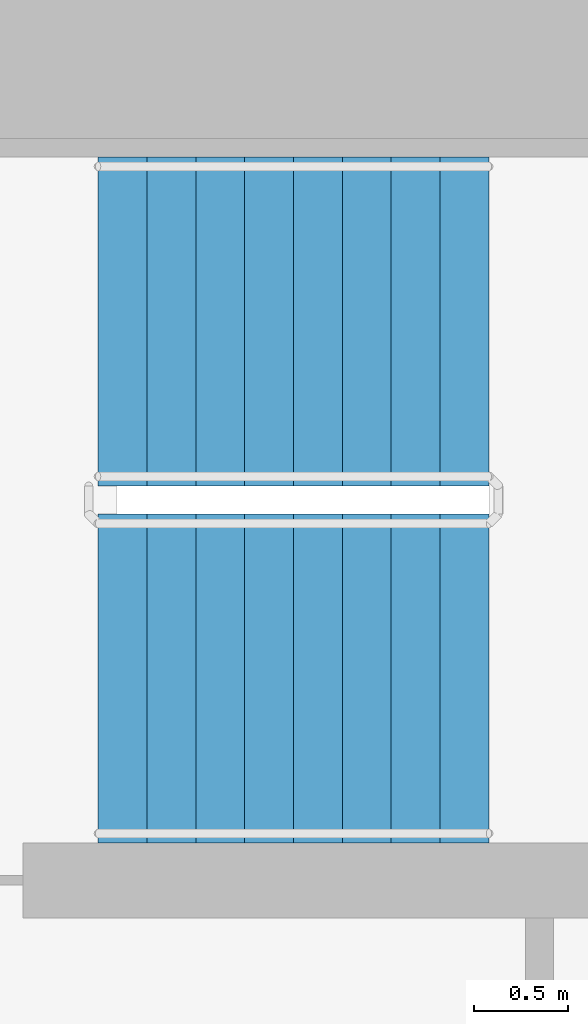
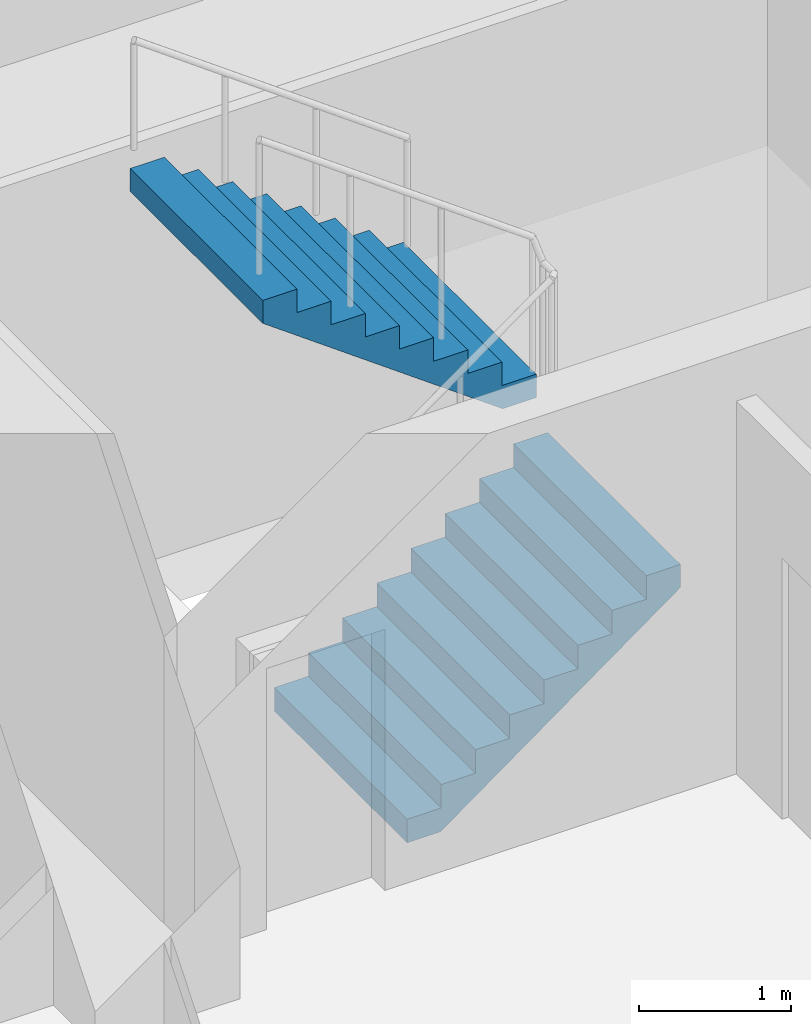
# One storey, part 19 of 25: 2 stair flights, 1 element without a shape of its own.
"""IFC4 building model written with IfcOpenShell, lengths in metres."""

import ifcopenshell
import ifcopenshell.guid

model = None  # the IFC model being written
_history = None  # IfcOwnerHistory: only IFC2X3 demands one
_inside = {}  # id of a spatial element -> (the spatial element, [elements in it])
_under = {}  # id of a project, library or spatial element -> (it, [spatial elements below it])
_declared = {}  # id of a project -> (the project, [libraries it declares])
_typed = {}  # id of a type object -> (the type object, [elements of that type])
_made_of = {}  # id of a material, layer set ... -> (it, [elements and type objects made of it])


def new_model(schema):
    """Start an empty IFC model of exactly this schema.

    Asked for "IFC4X3", IfcOpenShell would pick the latest addendum, in which some entities
    have other attributes; the version numbers below select the first issue.
    IFC2X3 requires an IfcOwnerHistory on every rooted entity: one is made here for all.
    """
    global model, _history
    if schema == "IFC4X3":
        model = ifcopenshell.file(schema_version=(4, 3, 0, 0))
    else:
        model = ifcopenshell.file(schema=schema)
    _inside.clear()
    _under.clear()
    _declared.clear()
    _typed.clear()
    _made_of.clear()
    _history = None
    if model.schema == "IFC2X3":
        org = make("IfcOrganization", Name="unknown")
        user = make(
            "IfcPersonAndOrganization",
            ThePerson=make("IfcPerson", FamilyName="unknown"),
            TheOrganization=org,
        )
        app = make(
            "IfcApplication",
            ApplicationDeveloper=org,
            Version="unknown",
            ApplicationFullName="unknown",
            ApplicationIdentifier="unknown",
        )
        _history = make(
            "IfcOwnerHistory",
            OwningUser=user,
            OwningApplication=app,
            ChangeAction="ADDED",
            CreationDate=0,
        )
    return model


def make(cls, **values):
    """One entity of the class cls with the attributes given. An attribute that is None is left unset."""
    return model.create_entity(
        cls, **{name: value for name, value in values.items() if value is not None}
    )


def rooted(cls, **values):
    """An entity with a GlobalId (a new one), such as an element, a storey or a relation."""
    return make(cls, GlobalId=ifcopenshell.guid.new(), OwnerHistory=_history, **values)


def si_unit(unit_type, name, prefix=None):
    """IfcSIUnit, for example si_unit("LENGTHUNIT", "METRE", prefix="MILLI")."""
    return make("IfcSIUnit", UnitType=unit_type, Prefix=prefix, Name=name)


def assignment(units):
    """IfcUnitAssignment: the units of a project."""
    return None if units is None else make("IfcUnitAssignment", Units=units)


def point(xyz):
    """IfcCartesianPoint."""
    return None if xyz is None else make("IfcCartesianPoint", Coordinates=xyz)


def direction(xyz):
    """IfcDirection."""
    return None if xyz is None else make("IfcDirection", DirectionRatios=xyz)


def frame(location, z_axis=None, x_axis=None):
    """IfcAxis2Placement3D, a coordinate frame: its origin and axes. An axis left out is left unset."""
    return make(
        "IfcAxis2Placement3D",
        Location=point(location),
        Axis=direction(z_axis),
        RefDirection=direction(x_axis),
    )


def origin():
    """The frame at (0, 0, 0) with its axes left unset."""
    return frame((0.0, 0.0, 0.0))


def place(relative_to, where):
    """IfcLocalPlacement: puts the frame where relative to a parent placement (None: the world)."""
    return make(
        "IfcLocalPlacement", PlacementRelTo=relative_to, RelativePlacement=where
    )


def context(
    kind, dimensions, precision=None, world=None, true_north=None, identifier=None
):
    """IfcGeometricRepresentationContext, for example the 3D "Model" context."""
    return make(
        "IfcGeometricRepresentationContext",
        ContextIdentifier=identifier,
        ContextType=kind,
        CoordinateSpaceDimension=dimensions,
        Precision=precision,
        WorldCoordinateSystem=world,
        TrueNorth=true_north,
    )


def subcontext(parent, identifier, kind, view, scale=None):
    """IfcGeometricRepresentationSubContext, for example "Body" below "Model"."""
    return make(
        "IfcGeometricRepresentationSubContext",
        ContextIdentifier=identifier,
        ContextType=kind,
        ParentContext=parent,
        TargetScale=scale,
        TargetView=view,
    )


def project(units=None, contexts=None):
    """IfcProject with its units and contexts."""
    return rooted(
        "IfcProject",
        Name="project",
        RepresentationContexts=contexts,
        UnitsInContext=assignment(units),
    )


def spatial(cls, under=None, at=None, **own):
    """A site, building, storey or space (cls), placed at a placement, below another one or the project."""
    s = rooted(cls, ObjectPlacement=at, **own)
    if under is not None:
        _under.setdefault(under.id(), (under, []))[1].append(s)
    return s


def faces_of(points, faces, orient=None, outer=None):
    """IfcFace entities. A face is a list of loops; a loop is a list of indices into points, from 0.

    orient and outer hold one flag for each loop. By default every Orientation is true, the
    first loop of a face is its IfcFaceOuterBound and the others are IfcFaceBound.
    """
    made = []
    for i, loops in enumerate(faces):
        bounds = []
        for j, loop in enumerate(loops):
            is_outer = j == 0 if outer is None else outer[i][j]
            bounds.append(
                make(
                    "IfcFaceOuterBound" if is_outer else "IfcFaceBound",
                    Bound=make("IfcPolyLoop", Polygon=[points[k] for k in loop]),
                    Orientation=True if orient is None else orient[i][j],
                )
            )
        made.append(make("IfcFace", Bounds=bounds))
    return made


def faceted_brep(points, faces, orient=None, outer=None, voids=None):
    """IfcFacetedBrep: a solid bounded by flat faces; with voids (closed shells), ...WithVoids."""
    shared = [point(p) for p in points]
    hull = make("IfcClosedShell", CfsFaces=faces_of(shared, faces, orient, outer))
    if voids is None:
        return make("IfcFacetedBrep", Outer=hull)
    return make(
        "IfcFacetedBrepWithVoids",
        Outer=hull,
        Voids=[
            make(cls, CfsFaces=faces_of(shared, fs, o, b)) for cls, fs, o, b in voids
        ],
    )


def shape(context_of_items, identifier, shape_type, items):
    """IfcShapeRepresentation: the items that make up one representation, for example the "Body"."""
    return make(
        "IfcShapeRepresentation",
        ContextOfItems=context_of_items,
        RepresentationIdentifier=identifier,
        RepresentationType=shape_type,
        Items=items,
    )


def material(Name=None, Category=None):
    """IfcMaterial."""
    return make("IfcMaterial", Name=Name, Category=Category)


def made_of(thing, what):
    """Note that an element or type object is made of a material, layer set ...; save() writes the relation."""
    if what is not None:
        _made_of.setdefault(what.id(), (what, []))[1].append(thing)
    return thing


def type_object(cls, material=None, **own):
    """A type object (cls), such as IfcWallType, which elements share."""
    return made_of(rooted(cls, **own), material)


def element(
    cls,
    number,
    at=None,
    inside=None,
    cuts=None,
    type_object=None,
    material=None,
    context=None,
    identifier="Body",
    shape_type=None,
    held_by="IfcProductDefinitionShape",
    body=None,
    shapes=None,
    **own,
):
    """One element of the class cls, such as IfcWall. Its Tag is "e" and its number.

    at: its placement. inside: the storey or other place that contains it. cuts: it is an
    opening in that element (IfcRelVoidsElement). A single representation is given by context,
    identifier, shape_type and body (its items); several are given by shapes. held_by: the class
    of the entity that holds the representations. save() writes the other relations.
    """
    e = rooted(cls, Tag="e%d" % number, ObjectPlacement=at, **own)
    if body is not None:
        shapes = [shape(context, identifier, shape_type, body)]
    if shapes is not None:
        e.Representation = make(held_by, Representations=shapes)
    if inside is not None:
        _inside.setdefault(inside.id(), (inside, []))[1].append(e)
    if cuts is not None:
        rooted(
            "IfcRelVoidsElement", RelatingBuildingElement=cuts, RelatedOpeningElement=e
        )
    if type_object is not None:
        _typed.setdefault(type_object.id(), (type_object, []))[1].append(e)
    return made_of(e, material)


def aggregate(whole, parts):
    """IfcRelAggregates: a whole, such as a stair, and the parts it consists of."""
    return rooted("IfcRelAggregates", RelatingObject=whole, RelatedObjects=parts)


def save(model, path):
    """Write the relations noted so far, then the file.

    IfcRelAggregates (storeys below a building ...), IfcRelContainedInSpatialStructure (elements
    in a storey), IfcRelDefinesByType, IfcRelAssociatesMaterial and IfcRelDeclares: one each for
    every whole, place, type object, material and project.
    """
    for whole, parts in _under.values():
        aggregate(whole, parts)
    for where, things in _inside.values():
        rooted(
            "IfcRelContainedInSpatialStructure",
            RelatedElements=things,
            RelatingStructure=where,
        )
    for kind, things in _typed.values():
        rooted("IfcRelDefinesByType", RelatedObjects=things, RelatingType=kind)
    for what, things in _made_of.values():
        rooted("IfcRelAssociatesMaterial", RelatedObjects=things, RelatingMaterial=what)
    for by, libraries in _declared.values():
        rooted("IfcRelDeclares", RelatingContext=by, RelatedDefinitions=libraries)
    model.write(path)


model = new_model("IFC4")

# Units and contexts
model_context = context("Model", 3, precision=1e-05, world=origin(), true_north=direction((0.0, 1.0)))
body_context = subcontext(model_context, "Body", "Model", "MODEL_VIEW")
ifc_project = project(units=[si_unit("LENGTHUNIT", "METRE"), si_unit("AREAUNIT", "SQUARE_METRE"), si_unit("VOLUMEUNIT", "CUBIC_METRE"), si_unit("PLANEANGLEUNIT", "RADIAN"), si_unit("MASSUNIT", "GRAM", prefix="KILO")], contexts=[model_context])

# Site, building, storey
site_placement = place(None, origin())
site = spatial("IfcSite", under=ifc_project, at=site_placement, CompositionType="ELEMENT")
building_placement = place(site_placement, origin())
building = spatial("IfcBuilding", under=site, at=building_placement, Name="Ipe Terrace Towers", CompositionType="ELEMENT")
storey_placement = place(building_placement, frame((0.0, 0.0, 65.300048828125)))
storey = spatial("IfcBuildingStorey", under=building, at=storey_placement, Name="L17", CompositionType="ELEMENT", Elevation=65.300048828125)

# Stair, stair flights
ifc_material_1 = material(Name="Concrete C30/37", Category="concrete")
stair_type = type_object("IfcStairType", Name="Protected exit stair", PredefinedType="HALF_TURN_STAIR", material=ifc_material_1)
stair_placement = place(storey_placement, origin())
stair = element("IfcStair", 1, at=stair_placement, inside=storey, type_object=stair_type, Name="L17 Exit stair T1-C1", PredefinedType="HALF_TURN_STAIR")
ifc_material_2 = material(Name="Concrete C30/37", Category="concrete")
stair_flight_type = type_object("IfcStairFlightType", Name="Exit stair flight 1750", PredefinedType="STRAIGHT", material=ifc_material_2)
stair_flight_1_placement = place(storey_placement, frame((-26.300048828125, 2.77490234375, 0.0), z_axis=(0.0, 0.0, 1.0), x_axis=(1.0, 0.0, 0.0)))
stair_flight_1 = element("IfcStairFlight", 2, at=stair_flight_1_placement, type_object=stair_flight_type, Name="T1-ST1 flight 1", NumberOfRisers=9, NumberOfTreads=8, PredefinedType="STRAIGHT", RiserHeight=0.188888889, TreadLength=0.26, context=body_context, shape_type="Brep", body=[
    faceted_brep([(0.255126953125, -0.875, 0.0), (2.080078125, -0.875, 1.325927734375), (2.080078125, -0.875, 1.51123046875), (1.820068359375, -0.875, 1.51123046875), (1.820068359375, -0.875, 1.322265625), (1.56005859375, -0.875, 1.322265625), (1.56005859375, -0.875, 1.13330078125), (1.300048828125, -0.875, 1.13330078125), (1.300048828125, -0.875, 0.9443359375), (1.0400390625, -0.875, 0.9443359375), (1.0400390625, -0.875, 0.755615234375), (0.780029296875, -0.875, 0.755615234375), (0.780029296875, -0.875, 0.566650390625), (0.52001953125, -0.875, 0.566650390625), (0.52001953125, -0.875, 0.377685546875), (0.260009765625, -0.875, 0.377685546875), (0.260009765625, -0.875, 0.18896484375), (0.0, -0.875, 0.18896484375), (0.0, -0.875, 0.0), (0.0, 0.875, 0.0), (0.0, 0.875, 0.18896484375), (0.260009765625, 0.875, 0.18896484375), (0.260009765625, 0.875, 0.377685546875), (0.52001953125, 0.875, 0.377685546875), (0.52001953125, 0.875, 0.566650390625), (0.780029296875, 0.875, 0.566650390625), (0.780029296875, 0.875, 0.755615234375), (1.0400390625, 0.875, 0.755615234375), (1.0400390625, 0.875, 0.9443359375), (1.300048828125, 0.875, 0.9443359375), (1.300048828125, 0.875, 1.13330078125), (1.56005859375, 0.875, 1.13330078125), (1.56005859375, 0.875, 1.322265625), (1.820068359375, 0.875, 1.322265625), (1.820068359375, 0.875, 1.51123046875), (2.080078125, 0.875, 1.51123046875), (2.080078125, 0.875, 1.325927734375), (0.255126953125, 0.875, 0.0), (0.0, -0.300048828125, 0.18896484375), (0.0, -0.1201171875, 0.18896484375), (0.0, -0.06005859375, 0.18896484375), (0.0, -0.030029296875, 0.18896484375), (0.0, -0.010009765625, 0.18896484375), (0.0, 0.0, 0.18896484375), (0.0, 0.010009765625, 0.18896484375), (0.0, 0.030029296875, 0.18896484375), (0.0, 0.06005859375, 0.18896484375), (0.0, 0.1201171875, 0.18896484375), (0.0, 0.300048828125, 0.18896484375), (0.0, 0.300048828125, 0.0), (0.0, 0.1201171875, 0.0), (0.0, 0.06005859375, 0.0), (0.0, 0.030029296875, 0.0), (0.0, 0.010009765625, 0.0), (0.0, 0.0, 0.0), (0.0, -0.010009765625, 0.0), (0.0, -0.030029296875, 0.0), (0.0, -0.06005859375, 0.0), (0.0, -0.1201171875, 0.0), (0.0, -0.300048828125, 0.0), (0.260009765625, -0.300048828125, 0.18896484375), (0.260009765625, -0.1201171875, 0.18896484375), (0.260009765625, -0.06005859375, 0.18896484375), (0.260009765625, -0.030029296875, 0.18896484375), (0.260009765625, -0.010009765625, 0.18896484375), (0.260009765625, 0.0, 0.18896484375), (0.260009765625, 0.010009765625, 0.18896484375), (0.260009765625, 0.030029296875, 0.18896484375), (0.260009765625, 0.06005859375, 0.18896484375), (0.260009765625, 0.1201171875, 0.18896484375), (0.260009765625, 0.300048828125, 0.18896484375), (0.260009765625, -0.300048828125, 0.377685546875), (0.260009765625, -0.1201171875, 0.377685546875), (0.260009765625, -0.06005859375, 0.377685546875), (0.260009765625, -0.030029296875, 0.377685546875), (0.260009765625, -0.010009765625, 0.377685546875), (0.260009765625, 0.0, 0.377685546875), (0.260009765625, 0.010009765625, 0.377685546875), (0.260009765625, 0.030029296875, 0.377685546875), (0.260009765625, 0.06005859375, 0.377685546875), (0.260009765625, 0.1201171875, 0.377685546875), (0.260009765625, 0.300048828125, 0.377685546875), (0.52001953125, -0.300048828125, 0.377685546875), (0.52001953125, -0.1201171875, 0.377685546875), (0.52001953125, -0.06005859375, 0.377685546875), (0.52001953125, -0.030029296875, 0.377685546875), (0.52001953125, -0.010009765625, 0.377685546875), (0.52001953125, 0.0, 0.377685546875), (0.52001953125, 0.010009765625, 0.377685546875), (0.52001953125, 0.030029296875, 0.377685546875), (0.52001953125, 0.06005859375, 0.377685546875), (0.52001953125, 0.1201171875, 0.377685546875), (0.52001953125, 0.300048828125, 0.377685546875), (0.52001953125, -0.300048828125, 0.566650390625), (0.52001953125, -0.1201171875, 0.566650390625), (0.52001953125, -0.06005859375, 0.566650390625), (0.52001953125, -0.030029296875, 0.566650390625), (0.52001953125, -0.010009765625, 0.566650390625), (0.52001953125, 0.0, 0.566650390625), (0.52001953125, 0.010009765625, 0.566650390625), (0.52001953125, 0.030029296875, 0.566650390625), (0.52001953125, 0.06005859375, 0.566650390625), (0.52001953125, 0.1201171875, 0.566650390625), (0.52001953125, 0.300048828125, 0.566650390625), (0.780029296875, -0.300048828125, 0.566650390625), (0.780029296875, -0.1201171875, 0.566650390625), (0.780029296875, -0.06005859375, 0.566650390625), (0.780029296875, -0.030029296875, 0.566650390625), (0.780029296875, -0.010009765625, 0.566650390625), (0.780029296875, 0.0, 0.566650390625), (0.780029296875, 0.010009765625, 0.566650390625), (0.780029296875, 0.030029296875, 0.566650390625), (0.780029296875, 0.06005859375, 0.566650390625), (0.780029296875, 0.1201171875, 0.566650390625), (0.780029296875, 0.300048828125, 0.566650390625), (0.780029296875, -0.300048828125, 0.755615234375), (0.780029296875, -0.1201171875, 0.755615234375), (0.780029296875, -0.06005859375, 0.755615234375), (0.780029296875, -0.030029296875, 0.755615234375), (0.780029296875, -0.010009765625, 0.755615234375), (0.780029296875, 0.0, 0.755615234375), (0.780029296875, 0.010009765625, 0.755615234375), (0.780029296875, 0.030029296875, 0.755615234375), (0.780029296875, 0.06005859375, 0.755615234375), (0.780029296875, 0.1201171875, 0.755615234375), (0.780029296875, 0.300048828125, 0.755615234375), (1.0400390625, -0.300048828125, 0.755615234375), (1.0400390625, -0.1201171875, 0.755615234375), (1.0400390625, -0.06005859375, 0.755615234375), (1.0400390625, -0.030029296875, 0.755615234375), (1.0400390625, -0.010009765625, 0.755615234375), (1.0400390625, 0.0, 0.755615234375), (1.0400390625, 0.010009765625, 0.755615234375), (1.0400390625, 0.030029296875, 0.755615234375), (1.0400390625, 0.06005859375, 0.755615234375), (1.0400390625, 0.1201171875, 0.755615234375), (1.0400390625, 0.300048828125, 0.755615234375), (1.0400390625, -0.300048828125, 0.9443359375), (1.0400390625, -0.1201171875, 0.9443359375), (1.0400390625, -0.06005859375, 0.9443359375), (1.0400390625, -0.030029296875, 0.9443359375), (1.0400390625, -0.010009765625, 0.9443359375), (1.0400390625, 0.0, 0.9443359375), (1.0400390625, 0.010009765625, 0.9443359375), (1.0400390625, 0.030029296875, 0.9443359375), (1.0400390625, 0.06005859375, 0.9443359375), (1.0400390625, 0.1201171875, 0.9443359375), (1.0400390625, 0.300048828125, 0.9443359375), (1.300048828125, -0.300048828125, 0.9443359375), (1.300048828125, -0.1201171875, 0.9443359375), (1.300048828125, -0.06005859375, 0.9443359375), (1.300048828125, -0.030029296875, 0.9443359375), (1.300048828125, -0.010009765625, 0.9443359375), (1.300048828125, 0.0, 0.9443359375), (1.300048828125, 0.010009765625, 0.9443359375), (1.300048828125, 0.030029296875, 0.9443359375), (1.300048828125, 0.06005859375, 0.9443359375), (1.300048828125, 0.1201171875, 0.9443359375), (1.300048828125, 0.300048828125, 0.9443359375), (1.300048828125, -0.300048828125, 1.13330078125), (1.300048828125, -0.1201171875, 1.13330078125), (1.300048828125, -0.06005859375, 1.13330078125), (1.300048828125, -0.030029296875, 1.13330078125), (1.300048828125, -0.010009765625, 1.13330078125), (1.300048828125, 0.0, 1.13330078125), (1.300048828125, 0.010009765625, 1.13330078125), (1.300048828125, 0.030029296875, 1.13330078125), (1.300048828125, 0.06005859375, 1.13330078125), (1.300048828125, 0.1201171875, 1.13330078125), (1.300048828125, 0.300048828125, 1.13330078125), (1.56005859375, -0.300048828125, 1.13330078125), (1.56005859375, -0.1201171875, 1.13330078125), (1.56005859375, -0.06005859375, 1.13330078125), (1.56005859375, -0.030029296875, 1.13330078125), (1.56005859375, -0.010009765625, 1.13330078125), (1.56005859375, 0.0, 1.13330078125), (1.56005859375, 0.010009765625, 1.13330078125), (1.56005859375, 0.030029296875, 1.13330078125), (1.56005859375, 0.06005859375, 1.13330078125), (1.56005859375, 0.1201171875, 1.13330078125), (1.56005859375, 0.300048828125, 1.13330078125), (1.56005859375, -0.300048828125, 1.322265625), (1.56005859375, -0.1201171875, 1.322265625), (1.56005859375, -0.06005859375, 1.322265625), (1.56005859375, -0.030029296875, 1.322265625), (1.56005859375, -0.010009765625, 1.322265625), (1.56005859375, 0.0, 1.322265625), (1.56005859375, 0.010009765625, 1.322265625), (1.56005859375, 0.030029296875, 1.322265625), (1.56005859375, 0.06005859375, 1.322265625), (1.56005859375, 0.1201171875, 1.322265625), (1.56005859375, 0.300048828125, 1.322265625), (1.820068359375, -0.300048828125, 1.322265625), (1.820068359375, -0.1201171875, 1.322265625), (1.820068359375, -0.06005859375, 1.322265625), (1.820068359375, -0.030029296875, 1.322265625), (1.820068359375, -0.010009765625, 1.322265625), (1.820068359375, 0.0, 1.322265625), (1.820068359375, 0.010009765625, 1.322265625), (1.820068359375, 0.030029296875, 1.322265625), (1.820068359375, 0.06005859375, 1.322265625), (1.820068359375, 0.1201171875, 1.322265625), (1.820068359375, 0.300048828125, 1.322265625), (1.820068359375, -0.300048828125, 1.51123046875), (1.820068359375, -0.1201171875, 1.51123046875), (1.820068359375, -0.06005859375, 1.51123046875), (1.820068359375, -0.030029296875, 1.51123046875), (1.820068359375, -0.010009765625, 1.51123046875), (1.820068359375, 0.0, 1.51123046875), (1.820068359375, 0.010009765625, 1.51123046875), (1.820068359375, 0.030029296875, 1.51123046875), (1.820068359375, 0.06005859375, 1.51123046875), (1.820068359375, 0.1201171875, 1.51123046875), (1.820068359375, 0.300048828125, 1.51123046875), (2.080078125, -0.300048828125, 1.51123046875), (2.080078125, -0.1201171875, 1.51123046875), (2.080078125, -0.06005859375, 1.51123046875), (2.080078125, -0.030029296875, 1.51123046875), (2.080078125, -0.010009765625, 1.51123046875), (2.080078125, 0.0, 1.51123046875), (2.080078125, 0.010009765625, 1.51123046875), (2.080078125, 0.030029296875, 1.51123046875), (2.080078125, 0.06005859375, 1.51123046875), (2.080078125, 0.1201171875, 1.51123046875), (2.080078125, 0.300048828125, 1.51123046875), (2.080078125, -0.300048828125, 1.325927734375), (2.080078125, -0.1201171875, 1.325927734375), (2.080078125, -0.06005859375, 1.325927734375), (2.080078125, -0.030029296875, 1.325927734375), (2.080078125, -0.010009765625, 1.325927734375), (2.080078125, 0.0, 1.325927734375), (2.080078125, 0.010009765625, 1.325927734375), (2.080078125, 0.030029296875, 1.325927734375), (2.080078125, 0.06005859375, 1.325927734375), (2.080078125, 0.1201171875, 1.325927734375), (2.080078125, 0.300048828125, 1.325927734375), (0.255126953125, -0.300048828125, 0.0), (0.255126953125, -0.1201171875, 0.0), (0.255126953125, -0.06005859375, 0.0), (0.255126953125, -0.030029296875, 0.0), (0.255126953125, -0.010009765625, 0.0), (0.255126953125, 0.0, 0.0), (0.255126953125, 0.010009765625, 0.0), (0.255126953125, 0.030029296875, 0.0), (0.255126953125, 0.06005859375, 0.0), (0.255126953125, 0.1201171875, 0.0), (0.255126953125, 0.300048828125, 0.0)], [[[0, 1, 2, 3, 4, 5, 6, 7, 8, 9, 10, 11, 12, 13, 14, 15, 16, 17, 18]], [[19, 20, 21, 22, 23, 24, 25, 26, 27, 28, 29, 30, 31, 32, 33, 34, 35, 36, 37]], [[17, 38, 39, 40, 41, 42, 43, 44, 45, 46, 47, 48, 20, 19, 49, 50, 51, 52, 53, 54, 55, 56, 57, 58, 59, 18]], [[16, 60, 61, 62, 63, 64, 65, 66, 67, 68, 69, 70, 21, 20, 48, 47, 46, 45, 44, 43, 42, 41, 40, 39, 38, 17]], [[15, 71, 72, 73, 74, 75, 76, 77, 78, 79, 80, 81, 22, 21, 70, 69, 68, 67, 66, 65, 64, 63, 62, 61, 60, 16]], [[14, 82, 83, 84, 85, 86, 87, 88, 89, 90, 91, 92, 23, 22, 81, 80, 79, 78, 77, 76, 75, 74, 73, 72, 71, 15]], [[13, 93, 94, 95, 96, 97, 98, 99, 100, 101, 102, 103, 24, 23, 92, 91, 90, 89, 88, 87, 86, 85, 84, 83, 82, 14]], [[12, 104, 105, 106, 107, 108, 109, 110, 111, 112, 113, 114, 25, 24, 103, 102, 101, 100, 99, 98, 97, 96, 95, 94, 93, 13]], [[11, 115, 116, 117, 118, 119, 120, 121, 122, 123, 124, 125, 26, 25, 114, 113, 112, 111, 110, 109, 108, 107, 106, 105, 104, 12]], [[10, 126, 127, 128, 129, 130, 131, 132, 133, 134, 135, 136, 27, 26, 125, 124, 123, 122, 121, 120, 119, 118, 117, 116, 115, 11]], [[9, 137, 138, 139, 140, 141, 142, 143, 144, 145, 146, 147, 28, 27, 136, 135, 134, 133, 132, 131, 130, 129, 128, 127, 126, 10]], [[8, 148, 149, 150, 151, 152, 153, 154, 155, 156, 157, 158, 29, 28, 147, 146, 145, 144, 143, 142, 141, 140, 139, 138, 137, 9]], [[7, 159, 160, 161, 162, 163, 164, 165, 166, 167, 168, 169, 30, 29, 158, 157, 156, 155, 154, 153, 152, 151, 150, 149, 148, 8]], [[6, 170, 171, 172, 173, 174, 175, 176, 177, 178, 179, 180, 31, 30, 169, 168, 167, 166, 165, 164, 163, 162, 161, 160, 159, 7]], [[5, 181, 182, 183, 184, 185, 186, 187, 188, 189, 190, 191, 32, 31, 180, 179, 178, 177, 176, 175, 174, 173, 172, 171, 170, 6]], [[4, 192, 193, 194, 195, 196, 197, 198, 199, 200, 201, 202, 33, 32, 191, 190, 189, 188, 187, 186, 185, 184, 183, 182, 181, 5]], [[3, 203, 204, 205, 206, 207, 208, 209, 210, 211, 212, 213, 34, 33, 202, 201, 200, 199, 198, 197, 196, 195, 194, 193, 192, 4]], [[2, 214, 215, 216, 217, 218, 219, 220, 221, 222, 223, 224, 35, 34, 213, 212, 211, 210, 209, 208, 207, 206, 205, 204, 203, 3]], [[1, 225, 226, 227, 228, 229, 230, 231, 232, 233, 234, 235, 36, 35, 224, 223, 222, 221, 220, 219, 218, 217, 216, 215, 214, 2]], [[0, 236, 237, 238, 239, 240, 241, 242, 243, 244, 245, 246, 37, 36, 235, 234, 233, 232, 231, 230, 229, 228, 227, 226, 225, 1]], [[18, 59, 58, 57, 56, 55, 54, 53, 52, 51, 50, 49, 19, 37, 246, 245, 244, 243, 242, 241, 240, 239, 238, 237, 236, 0]]]),
])
stair_flight_2_placement = place(storey_placement, frame((-24.219970703125, 4.675048828125, 1.699951171875), z_axis=(0.0, 0.0, 1.0), x_axis=(-1.0, 0.0, 0.0)))
stair_flight_2 = element("IfcStairFlight", 3, at=stair_flight_2_placement, type_object=stair_flight_type, Name="T1-ST1 flight 2", NumberOfRisers=9, NumberOfTreads=8, PredefinedType="STRAIGHT", RiserHeight=0.188888889, TreadLength=0.26, context=body_context, shape_type="Brep", body=[
    faceted_brep([(0.255126953125, -0.875, 0.0), (2.080078125, -0.875, 1.325927734375), (2.080078125, -0.875, 1.51123046875), (1.820068359375, -0.875, 1.51123046875), (1.820068359375, -0.875, 1.322265625), (1.56005859375, -0.875, 1.322265625), (1.56005859375, -0.875, 1.13330078125), (1.300048828125, -0.875, 1.13330078125), (1.300048828125, -0.875, 0.9443359375), (1.0400390625, -0.875, 0.9443359375), (1.0400390625, -0.875, 0.755615234375), (0.780029296875, -0.875, 0.755615234375), (0.780029296875, -0.875, 0.566650390625), (0.52001953125, -0.875, 0.566650390625), (0.52001953125, -0.875, 0.377685546875), (0.260009765625, -0.875, 0.377685546875), (0.260009765625, -0.875, 0.18896484375), (0.0, -0.875, 0.18896484375), (0.0, -0.875, 0.0), (0.0, 0.875, 0.0), (0.0, 0.875, 0.18896484375), (0.260009765625, 0.875, 0.18896484375), (0.260009765625, 0.875, 0.377685546875), (0.52001953125, 0.875, 0.377685546875), (0.52001953125, 0.875, 0.566650390625), (0.780029296875, 0.875, 0.566650390625), (0.780029296875, 0.875, 0.755615234375), (1.0400390625, 0.875, 0.755615234375), (1.0400390625, 0.875, 0.9443359375), (1.300048828125, 0.875, 0.9443359375), (1.300048828125, 0.875, 1.13330078125), (1.56005859375, 0.875, 1.13330078125), (1.56005859375, 0.875, 1.322265625), (1.820068359375, 0.875, 1.322265625), (1.820068359375, 0.875, 1.51123046875), (2.080078125, 0.875, 1.51123046875), (2.080078125, 0.875, 1.325927734375), (0.255126953125, 0.875, 0.0), (0.0, -0.300048828125, 0.18896484375), (0.0, -0.1201171875, 0.18896484375), (0.0, -0.06005859375, 0.18896484375), (0.0, -0.030029296875, 0.18896484375), (0.0, -0.010009765625, 0.18896484375), (0.0, 0.0, 0.18896484375), (0.0, 0.010009765625, 0.18896484375), (0.0, 0.030029296875, 0.18896484375), (0.0, 0.06005859375, 0.18896484375), (0.0, 0.1201171875, 0.18896484375), (0.0, 0.300048828125, 0.18896484375), (0.0, 0.300048828125, 0.0), (0.0, 0.1201171875, 0.0), (0.0, 0.06005859375, 0.0), (0.0, 0.030029296875, 0.0), (0.0, 0.010009765625, 0.0), (0.0, 0.0, 0.0), (0.0, -0.010009765625, 0.0), (0.0, -0.030029296875, 0.0), (0.0, -0.06005859375, 0.0), (0.0, -0.1201171875, 0.0), (0.0, -0.300048828125, 0.0), (0.260009765625, -0.300048828125, 0.18896484375), (0.260009765625, -0.1201171875, 0.18896484375), (0.260009765625, -0.06005859375, 0.18896484375), (0.260009765625, -0.030029296875, 0.18896484375), (0.260009765625, -0.010009765625, 0.18896484375), (0.260009765625, 0.0, 0.18896484375), (0.260009765625, 0.010009765625, 0.18896484375), (0.260009765625, 0.030029296875, 0.18896484375), (0.260009765625, 0.06005859375, 0.18896484375), (0.260009765625, 0.1201171875, 0.18896484375), (0.260009765625, 0.300048828125, 0.18896484375), (0.260009765625, -0.300048828125, 0.377685546875), (0.260009765625, -0.1201171875, 0.377685546875), (0.260009765625, -0.06005859375, 0.377685546875), (0.260009765625, -0.030029296875, 0.377685546875), (0.260009765625, -0.010009765625, 0.377685546875), (0.260009765625, 0.0, 0.377685546875), (0.260009765625, 0.010009765625, 0.377685546875), (0.260009765625, 0.030029296875, 0.377685546875), (0.260009765625, 0.06005859375, 0.377685546875), (0.260009765625, 0.1201171875, 0.377685546875), (0.260009765625, 0.300048828125, 0.377685546875), (0.52001953125, -0.300048828125, 0.377685546875), (0.52001953125, -0.1201171875, 0.377685546875), (0.52001953125, -0.06005859375, 0.377685546875), (0.52001953125, -0.030029296875, 0.377685546875), (0.52001953125, -0.010009765625, 0.377685546875), (0.52001953125, 0.0, 0.377685546875), (0.52001953125, 0.010009765625, 0.377685546875), (0.52001953125, 0.030029296875, 0.377685546875), (0.52001953125, 0.06005859375, 0.377685546875), (0.52001953125, 0.1201171875, 0.377685546875), (0.52001953125, 0.300048828125, 0.377685546875), (0.52001953125, -0.300048828125, 0.566650390625), (0.52001953125, -0.1201171875, 0.566650390625), (0.52001953125, -0.06005859375, 0.566650390625), (0.52001953125, -0.030029296875, 0.566650390625), (0.52001953125, -0.010009765625, 0.566650390625), (0.52001953125, 0.0, 0.566650390625), (0.52001953125, 0.010009765625, 0.566650390625), (0.52001953125, 0.030029296875, 0.566650390625), (0.52001953125, 0.06005859375, 0.566650390625), (0.52001953125, 0.1201171875, 0.566650390625), (0.52001953125, 0.300048828125, 0.566650390625), (0.780029296875, -0.300048828125, 0.566650390625), (0.780029296875, -0.1201171875, 0.566650390625), (0.780029296875, -0.06005859375, 0.566650390625), (0.780029296875, -0.030029296875, 0.566650390625), (0.780029296875, -0.010009765625, 0.566650390625), (0.780029296875, 0.0, 0.566650390625), (0.780029296875, 0.010009765625, 0.566650390625), (0.780029296875, 0.030029296875, 0.566650390625), (0.780029296875, 0.06005859375, 0.566650390625), (0.780029296875, 0.1201171875, 0.566650390625), (0.780029296875, 0.300048828125, 0.566650390625), (0.780029296875, -0.300048828125, 0.755615234375), (0.780029296875, -0.1201171875, 0.755615234375), (0.780029296875, -0.06005859375, 0.755615234375), (0.780029296875, -0.030029296875, 0.755615234375), (0.780029296875, -0.010009765625, 0.755615234375), (0.780029296875, 0.0, 0.755615234375), (0.780029296875, 0.010009765625, 0.755615234375), (0.780029296875, 0.030029296875, 0.755615234375), (0.780029296875, 0.06005859375, 0.755615234375), (0.780029296875, 0.1201171875, 0.755615234375), (0.780029296875, 0.300048828125, 0.755615234375), (1.0400390625, -0.300048828125, 0.755615234375), (1.0400390625, -0.1201171875, 0.755615234375), (1.0400390625, -0.06005859375, 0.755615234375), (1.0400390625, -0.030029296875, 0.755615234375), (1.0400390625, -0.010009765625, 0.755615234375), (1.0400390625, 0.0, 0.755615234375), (1.0400390625, 0.010009765625, 0.755615234375), (1.0400390625, 0.030029296875, 0.755615234375), (1.0400390625, 0.06005859375, 0.755615234375), (1.0400390625, 0.1201171875, 0.755615234375), (1.0400390625, 0.300048828125, 0.755615234375), (1.0400390625, -0.300048828125, 0.9443359375), (1.0400390625, -0.1201171875, 0.9443359375), (1.0400390625, -0.06005859375, 0.9443359375), (1.0400390625, -0.030029296875, 0.9443359375), (1.0400390625, -0.010009765625, 0.9443359375), (1.0400390625, 0.0, 0.9443359375), (1.0400390625, 0.010009765625, 0.9443359375), (1.0400390625, 0.030029296875, 0.9443359375), (1.0400390625, 0.06005859375, 0.9443359375), (1.0400390625, 0.1201171875, 0.9443359375), (1.0400390625, 0.300048828125, 0.9443359375), (1.300048828125, -0.300048828125, 0.9443359375), (1.300048828125, -0.1201171875, 0.9443359375), (1.300048828125, -0.06005859375, 0.9443359375), (1.300048828125, -0.030029296875, 0.9443359375), (1.300048828125, -0.010009765625, 0.9443359375), (1.300048828125, 0.0, 0.9443359375), (1.300048828125, 0.010009765625, 0.9443359375), (1.300048828125, 0.030029296875, 0.9443359375), (1.300048828125, 0.06005859375, 0.9443359375), (1.300048828125, 0.1201171875, 0.9443359375), (1.300048828125, 0.300048828125, 0.9443359375), (1.300048828125, -0.300048828125, 1.13330078125), (1.300048828125, -0.1201171875, 1.13330078125), (1.300048828125, -0.06005859375, 1.13330078125), (1.300048828125, -0.030029296875, 1.13330078125), (1.300048828125, -0.010009765625, 1.13330078125), (1.300048828125, 0.0, 1.13330078125), (1.300048828125, 0.010009765625, 1.13330078125), (1.300048828125, 0.030029296875, 1.13330078125), (1.300048828125, 0.06005859375, 1.13330078125), (1.300048828125, 0.1201171875, 1.13330078125), (1.300048828125, 0.300048828125, 1.13330078125), (1.56005859375, -0.300048828125, 1.13330078125), (1.56005859375, -0.1201171875, 1.13330078125), (1.56005859375, -0.06005859375, 1.13330078125), (1.56005859375, -0.030029296875, 1.13330078125), (1.56005859375, -0.010009765625, 1.13330078125), (1.56005859375, 0.0, 1.13330078125), (1.56005859375, 0.010009765625, 1.13330078125), (1.56005859375, 0.030029296875, 1.13330078125), (1.56005859375, 0.06005859375, 1.13330078125), (1.56005859375, 0.1201171875, 1.13330078125), (1.56005859375, 0.300048828125, 1.13330078125), (1.56005859375, -0.300048828125, 1.322265625), (1.56005859375, -0.1201171875, 1.322265625), (1.56005859375, -0.06005859375, 1.322265625), (1.56005859375, -0.030029296875, 1.322265625), (1.56005859375, -0.010009765625, 1.322265625), (1.56005859375, 0.0, 1.322265625), (1.56005859375, 0.010009765625, 1.322265625), (1.56005859375, 0.030029296875, 1.322265625), (1.56005859375, 0.06005859375, 1.322265625), (1.56005859375, 0.1201171875, 1.322265625), (1.56005859375, 0.300048828125, 1.322265625), (1.820068359375, -0.300048828125, 1.322265625), (1.820068359375, -0.1201171875, 1.322265625), (1.820068359375, -0.06005859375, 1.322265625), (1.820068359375, -0.030029296875, 1.322265625), (1.820068359375, -0.010009765625, 1.322265625), (1.820068359375, 0.0, 1.322265625), (1.820068359375, 0.010009765625, 1.322265625), (1.820068359375, 0.030029296875, 1.322265625), (1.820068359375, 0.06005859375, 1.322265625), (1.820068359375, 0.1201171875, 1.322265625), (1.820068359375, 0.300048828125, 1.322265625), (1.820068359375, -0.300048828125, 1.51123046875), (1.820068359375, -0.1201171875, 1.51123046875), (1.820068359375, -0.06005859375, 1.51123046875), (1.820068359375, -0.030029296875, 1.51123046875), (1.820068359375, -0.010009765625, 1.51123046875), (1.820068359375, 0.0, 1.51123046875), (1.820068359375, 0.010009765625, 1.51123046875), (1.820068359375, 0.030029296875, 1.51123046875), (1.820068359375, 0.06005859375, 1.51123046875), (1.820068359375, 0.1201171875, 1.51123046875), (1.820068359375, 0.300048828125, 1.51123046875), (2.080078125, -0.300048828125, 1.51123046875), (2.080078125, -0.1201171875, 1.51123046875), (2.080078125, -0.06005859375, 1.51123046875), (2.080078125, -0.030029296875, 1.51123046875), (2.080078125, -0.010009765625, 1.51123046875), (2.080078125, 0.0, 1.51123046875), (2.080078125, 0.010009765625, 1.51123046875), (2.080078125, 0.030029296875, 1.51123046875), (2.080078125, 0.06005859375, 1.51123046875), (2.080078125, 0.1201171875, 1.51123046875), (2.080078125, 0.300048828125, 1.51123046875), (2.080078125, -0.300048828125, 1.325927734375), (2.080078125, -0.1201171875, 1.325927734375), (2.080078125, -0.06005859375, 1.325927734375), (2.080078125, -0.030029296875, 1.325927734375), (2.080078125, -0.010009765625, 1.325927734375), (2.080078125, 0.0, 1.325927734375), (2.080078125, 0.010009765625, 1.325927734375), (2.080078125, 0.030029296875, 1.325927734375), (2.080078125, 0.06005859375, 1.325927734375), (2.080078125, 0.1201171875, 1.325927734375), (2.080078125, 0.300048828125, 1.325927734375), (0.255126953125, -0.300048828125, 0.0), (0.255126953125, -0.1201171875, 0.0), (0.255126953125, -0.06005859375, 0.0), (0.255126953125, -0.030029296875, 0.0), (0.255126953125, -0.010009765625, 0.0), (0.255126953125, 0.0, 0.0), (0.255126953125, 0.010009765625, 0.0), (0.255126953125, 0.030029296875, 0.0), (0.255126953125, 0.06005859375, 0.0), (0.255126953125, 0.1201171875, 0.0), (0.255126953125, 0.300048828125, 0.0)], [[[0, 1, 2, 3, 4, 5, 6, 7, 8, 9, 10, 11, 12, 13, 14, 15, 16, 17, 18]], [[19, 20, 21, 22, 23, 24, 25, 26, 27, 28, 29, 30, 31, 32, 33, 34, 35, 36, 37]], [[17, 38, 39, 40, 41, 42, 43, 44, 45, 46, 47, 48, 20, 19, 49, 50, 51, 52, 53, 54, 55, 56, 57, 58, 59, 18]], [[16, 60, 61, 62, 63, 64, 65, 66, 67, 68, 69, 70, 21, 20, 48, 47, 46, 45, 44, 43, 42, 41, 40, 39, 38, 17]], [[15, 71, 72, 73, 74, 75, 76, 77, 78, 79, 80, 81, 22, 21, 70, 69, 68, 67, 66, 65, 64, 63, 62, 61, 60, 16]], [[14, 82, 83, 84, 85, 86, 87, 88, 89, 90, 91, 92, 23, 22, 81, 80, 79, 78, 77, 76, 75, 74, 73, 72, 71, 15]], [[13, 93, 94, 95, 96, 97, 98, 99, 100, 101, 102, 103, 24, 23, 92, 91, 90, 89, 88, 87, 86, 85, 84, 83, 82, 14]], [[12, 104, 105, 106, 107, 108, 109, 110, 111, 112, 113, 114, 25, 24, 103, 102, 101, 100, 99, 98, 97, 96, 95, 94, 93, 13]], [[11, 115, 116, 117, 118, 119, 120, 121, 122, 123, 124, 125, 26, 25, 114, 113, 112, 111, 110, 109, 108, 107, 106, 105, 104, 12]], [[10, 126, 127, 128, 129, 130, 131, 132, 133, 134, 135, 136, 27, 26, 125, 124, 123, 122, 121, 120, 119, 118, 117, 116, 115, 11]], [[9, 137, 138, 139, 140, 141, 142, 143, 144, 145, 146, 147, 28, 27, 136, 135, 134, 133, 132, 131, 130, 129, 128, 127, 126, 10]], [[8, 148, 149, 150, 151, 152, 153, 154, 155, 156, 157, 158, 29, 28, 147, 146, 145, 144, 143, 142, 141, 140, 139, 138, 137, 9]], [[7, 159, 160, 161, 162, 163, 164, 165, 166, 167, 168, 169, 30, 29, 158, 157, 156, 155, 154, 153, 152, 151, 150, 149, 148, 8]], [[6, 170, 171, 172, 173, 174, 175, 176, 177, 178, 179, 180, 31, 30, 169, 168, 167, 166, 165, 164, 163, 162, 161, 160, 159, 7]], [[5, 181, 182, 183, 184, 185, 186, 187, 188, 189, 190, 191, 32, 31, 180, 179, 178, 177, 176, 175, 174, 173, 172, 171, 170, 6]], [[4, 192, 193, 194, 195, 196, 197, 198, 199, 200, 201, 202, 33, 32, 191, 190, 189, 188, 187, 186, 185, 184, 183, 182, 181, 5]], [[3, 203, 204, 205, 206, 207, 208, 209, 210, 211, 212, 213, 34, 33, 202, 201, 200, 199, 198, 197, 196, 195, 194, 193, 192, 4]], [[2, 214, 215, 216, 217, 218, 219, 220, 221, 222, 223, 224, 35, 34, 213, 212, 211, 210, 209, 208, 207, 206, 205, 204, 203, 3]], [[1, 225, 226, 227, 228, 229, 230, 231, 232, 233, 234, 235, 36, 35, 224, 223, 222, 221, 220, 219, 218, 217, 216, 215, 214, 2]], [[0, 236, 237, 238, 239, 240, 241, 242, 243, 244, 245, 246, 37, 36, 235, 234, 233, 232, 231, 230, 229, 228, 227, 226, 225, 1]], [[18, 59, 58, 57, 56, 55, 54, 53, 52, 51, 50, 49, 19, 37, 246, 245, 244, 243, 242, 241, 240, 239, 238, 237, 236, 0]]]),
])
aggregate(stair, [stair_flight_1, stair_flight_2])

save(model, "model.ifc")
